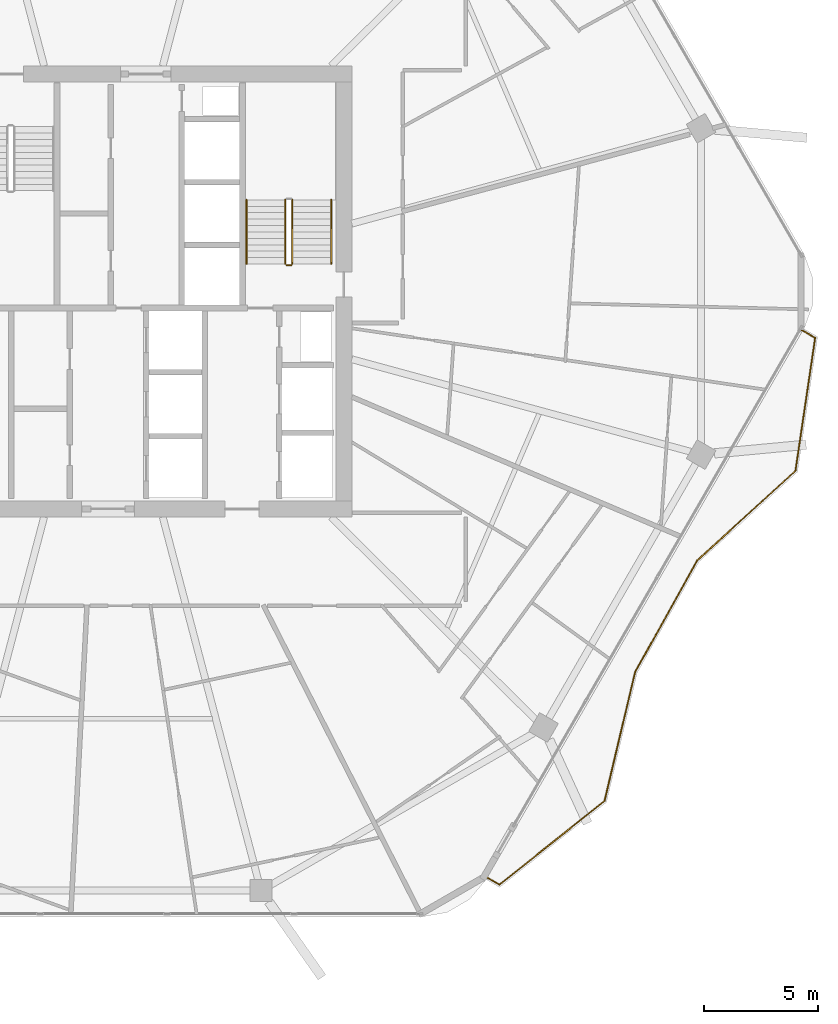
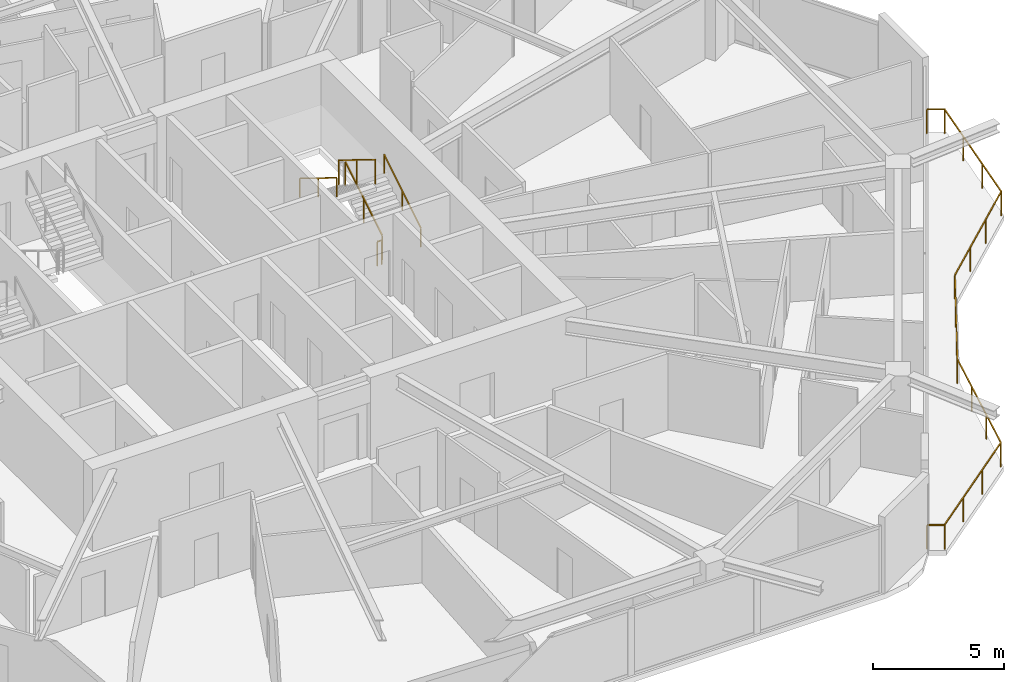
# One storey, part 25 of 27: 6 railings.
"""IFC4 building model written with IfcOpenShell, lengths in metres."""

from ifc_helpers import new_model, si_unit, direction, frame, origin, origin_2d, place, context, subcontext, project, spatial, rectangle, extrude, material, type_object, element, save


model = new_model("IFC4")

# Units and contexts
model_context = context("Model", 3, precision=1e-05, world=origin(), true_north=direction((0.0, 1.0)))
body_context = subcontext(model_context, "Body", "Model", "MODEL_VIEW")
ifc_project = project(units=[si_unit("LENGTHUNIT", "METRE"), si_unit("AREAUNIT", "SQUARE_METRE"), si_unit("VOLUMEUNIT", "CUBIC_METRE"), si_unit("PLANEANGLEUNIT", "RADIAN"), si_unit("MASSUNIT", "GRAM", prefix="KILO")], contexts=[model_context])

# Site, building, storey
site_placement = place(None, origin())
site = spatial("IfcSite", under=ifc_project, at=site_placement, CompositionType="ELEMENT")
building_placement = place(site_placement, origin())
building = spatial("IfcBuilding", under=site, at=building_placement, Name="Zuhravey Tower", CompositionType="ELEMENT")
storey_placement = place(building_placement, frame((0.0, 0.0, 188.39990234375)))
storey = spatial("IfcBuildingStorey", under=building, at=storey_placement, Name="L47", CompositionType="ELEMENT", Elevation=188.39990234375)

# Railings
ifc_material_1 = material(Name="Stainless steel 316 and laminated glass", Category="steel")
railing_type_1 = type_object("IfcRailingType", Name="Balcony & Terrace Guardrail 1150", PredefinedType="BALUSTRADE", material=ifc_material_1)
railing_1_placement = place(storey_placement, frame((66.510009765625, 30.308349609375, 0.0)))
element("IfcRailing", 1, at=railing_1_placement, inside=storey, type_object=railing_type_1, Name="L47 Face 6 Wave Balcony Guardrail GR1", PredefinedType="BALUSTRADE", context=body_context, shape_type="SweptSolid", body=[
    extrude(rectangle(XDim=0.048095703125, YDim=0.048095703125, at=origin_2d()), frame((0.001708984375, -0.0009765625, 1.1259765625), z_axis=(0.865997973348, -0.5000475079, 0.0), x_axis=(0.5000475079, 0.865997973348, 0.0)), (0.0, 0.0, 1.0), 0.667724609375),
    extrude(rectangle(XDim=0.048095703125, YDim=0.048095703125, at=origin_2d()), frame((0.58154296875, -0.337890625, 1.1259765625), z_axis=(-0.146764189716, -0.989171508191, 0.0), x_axis=(0.989171508191, -0.146764189716, 0.0)), (0.0, 0.0, 1.0), 5.866455078125),
    extrude(rectangle(XDim=0.048095703125, YDim=0.048095703125, at=origin_2d()), frame((-0.28125, -6.144287109375, 1.1259765625), z_axis=(-0.7387410654, -0.673989345829, 0.0), x_axis=(0.673989345829, -0.7387410654, 0.0)), (0.0, 0.0, 1.0), 5.80615234375),
    extrude(rectangle(XDim=0.048095703125, YDim=0.048095703125, at=origin_2d()), frame((-4.572998046875, -10.060546875, 1.1259765625), z_axis=(-0.48580246589, -0.874068626674, 0.0), x_axis=(0.874068626674, -0.48580246589, 0.0)), (0.0, 0.0, 1.0), 5.582763671875),
    extrude(rectangle(XDim=0.048095703125, YDim=0.048095703125, at=origin_2d()), frame((-7.28662109375, -14.944091796875, 1.1259765625), z_axis=(-0.230986440495, -0.972956969402, 0.0), x_axis=(0.972956969402, -0.230986440495, 0.0)), (0.0, 0.0, 1.0), 5.7744140625),
    extrude(rectangle(XDim=0.048095703125, YDim=0.048095703125, at=origin_2d()), frame((-8.622314453125, -20.5654296875, 1.1259765625), z_axis=(-0.781984116778, -0.623298356412, 0.0), x_axis=(0.623298356412, -0.781984116778, 0.0)), (0.0, 0.0, 1.0), 5.8623046875),
    extrude(rectangle(XDim=0.048095703125, YDim=0.048095703125, at=origin_2d()), frame((-13.2099609375, -24.2197265625, 1.1259765625), z_axis=(-0.865997973348, 0.5000475079, 0.0), x_axis=(-0.5000475079, -0.865997973348, 0.0)), (0.0, 0.0, 1.0), 0.667724609375),
    extrude(rectangle(XDim=0.0419921875, YDim=0.0419921875, at=origin_2d()), origin(), (0.0, 0.0, 1.0), 1.099853515625),
    extrude(rectangle(XDim=0.0419921875, YDim=0.0419921875, at=origin_2d()), frame((0.581787109375, -0.3359375, 0.0)), (0.0, 0.0, 1.0), 1.099853515625),
    extrude(rectangle(XDim=0.0419921875, YDim=0.0419921875, at=origin_2d()), frame((0.294677734375, -2.271484375, 0.0)), (0.0, 0.0, 1.0), 1.099853515625),
    extrude(rectangle(XDim=0.0419921875, YDim=0.0419921875, at=origin_2d()), frame((0.00732421875, -4.207275390625, 0.0)), (0.0, 0.0, 1.0), 1.099853515625),
    extrude(rectangle(XDim=0.0419921875, YDim=0.0419921875, at=origin_2d()), frame((-0.27978515625, -6.142822265625, 0.0)), (0.0, 0.0, 1.0), 1.099853515625),
    extrude(rectangle(XDim=0.0419921875, YDim=0.0419921875, at=origin_2d()), frame((-1.71044921875, -7.4482421875, 0.0)), (0.0, 0.0, 1.0), 1.099853515625),
    extrude(rectangle(XDim=0.0419921875, YDim=0.0419921875, at=origin_2d()), frame((-3.141357421875, -8.75341796875, 0.0)), (0.0, 0.0, 1.0), 1.099853515625),
    extrude(rectangle(XDim=0.0419921875, YDim=0.0419921875, at=origin_2d()), frame((-4.572021484375, -10.058837890625, 0.0)), (0.0, 0.0, 1.0), 1.099853515625),
    extrude(rectangle(XDim=0.0419921875, YDim=0.0419921875, at=origin_2d()), frame((-5.476806640625, -11.6865234375, 0.0)), (0.0, 0.0, 1.0), 1.099853515625),
    extrude(rectangle(XDim=0.0419921875, YDim=0.0419921875, at=origin_2d()), frame((-6.38134765625, -13.314453125, 0.0)), (0.0, 0.0, 1.0), 1.099853515625),
    extrude(rectangle(XDim=0.0419921875, YDim=0.0419921875, at=origin_2d()), frame((-7.2861328125, -14.942138671875, 0.0)), (0.0, 0.0, 1.0), 1.099853515625),
    extrude(rectangle(XDim=0.0419921875, YDim=0.0419921875, at=origin_2d()), frame((-7.73095703125, -16.816162109375, 0.0)), (0.0, 0.0, 1.0), 1.099853515625),
    extrude(rectangle(XDim=0.0419921875, YDim=0.0419921875, at=origin_2d()), frame((-8.176025390625, -18.690185546875, 0.0)), (0.0, 0.0, 1.0), 1.099853515625),
    extrude(rectangle(XDim=0.0419921875, YDim=0.0419921875, at=origin_2d()), frame((-8.620849609375, -20.564208984375, 0.0)), (0.0, 0.0, 1.0), 1.099853515625),
    extrude(rectangle(XDim=0.0419921875, YDim=0.0419921875, at=origin_2d()), frame((-10.14990234375, -21.782958984375, 0.0)), (0.0, 0.0, 1.0), 1.099853515625),
    extrude(rectangle(XDim=0.0419921875, YDim=0.0419921875, at=origin_2d()), frame((-11.67919921875, -23.001953125, 0.0)), (0.0, 0.0, 1.0), 1.099853515625),
    extrude(rectangle(XDim=0.0419921875, YDim=0.0419921875, at=origin_2d()), frame((-13.208251953125, -24.220703125, 0.0)), (0.0, 0.0, 1.0), 1.099853515625),
    extrude(rectangle(XDim=0.0419921875, YDim=0.0419921875, at=origin_2d()), frame((-13.7900390625, -23.884765625, 0.0)), (0.0, 0.0, 1.0), 1.099853515625),
])
ifc_material_2 = material(Name="Brushed stainless steel", Category="steel")
railing_type_2 = type_object("IfcRailingType", Name="Stair Wall Handrail 900", PredefinedType="HANDRAIL", material=ifc_material_2)
railing_2_placement = place(storey_placement, frame((45.949951171875, 33.199951171875, 0.1728515625)))
element("IfcRailing", 2, at=railing_2_placement, inside=storey, type_object=railing_type_2, Name="L47 ST2 stair handrail 1", PredefinedType="HANDRAIL", context=body_context, shape_type="SweptSolid", body=[
    extrude(rectangle(XDim=0.048095703125, YDim=0.048095703125, at=origin_2d()), frame((0.0, 0.001708984375, 0.876953125), z_axis=(0.0, 0.851089632645, 0.525020415988), x_axis=(-1.0, 0.0, 0.0)), (0.0, 0.0, 1.0), 3.285888671875),
    extrude(rectangle(XDim=0.0419921875, YDim=0.0419921875, at=origin_2d()), origin(), (0.0, 0.0, 1.0), 0.849853515625),
    extrude(rectangle(XDim=0.0419921875, YDim=0.0419921875, at=origin_2d()), frame((0.0, 1.39990234375, 0.86376953125)), (0.0, 0.0, 1.0), 0.849853515625),
    extrude(rectangle(XDim=0.0419921875, YDim=0.0419921875, at=origin_2d()), frame((0.0, 2.800048828125, 1.727294921875)), (0.0, 0.0, 1.0), 0.849853515625),
])
railing_3_placement = place(storey_placement, frame((42.25, 36.0, 2.07275390625)))
element("IfcRailing", 3, at=railing_3_placement, inside=storey, type_object=railing_type_2, Name="L47 ST2 stair handrail 2", PredefinedType="HANDRAIL", context=body_context, shape_type="SweptSolid", body=[
    extrude(rectangle(XDim=0.048095703125, YDim=0.048095703125, at=origin_2d()), frame((0.0, -0.001708984375, 0.876953125), z_axis=(0.0, -0.851089632645, 0.525020415988), x_axis=(1.0, 0.0, 0.0)), (0.0, 0.0, 1.0), 3.285888671875),
    extrude(rectangle(XDim=0.0419921875, YDim=0.0419921875, at=origin_2d()), origin(), (0.0, 0.0, 1.0), 0.849853515625),
    extrude(rectangle(XDim=0.0419921875, YDim=0.0419921875, at=origin_2d()), frame((0.0, -1.39990234375, 0.86376953125)), (0.0, 0.0, 1.0), 0.849853515625),
    extrude(rectangle(XDim=0.0419921875, YDim=0.0419921875, at=origin_2d()), frame((0.0, -2.800048828125, 1.727294921875)), (0.0, 0.0, 1.0), 0.849853515625),
])
ifc_material_3 = material(Name="Painted tubular steel", Category="steel")
railing_type_3 = type_object("IfcRailingType", Name="Stair Well Guardrail 1150", PredefinedType="GUARDRAIL", material=ifc_material_3)
railing_4_placement = place(storey_placement, frame((44.25, 33.199951171875, 0.1728515625)))
element("IfcRailing", 4, at=railing_4_placement, inside=storey, type_object=railing_type_3, Name="L47 ST2 stair guard 1", PredefinedType="GUARDRAIL", context=body_context, shape_type="SweptSolid", body=[
    extrude(rectangle(XDim=0.048095703125, YDim=0.048095703125, at=origin_2d()), frame((0.0, 0.001708984375, 1.126953125), z_axis=(0.0, 0.851089632645, 0.525020415988), x_axis=(-1.0, 0.0, 0.0)), (0.0, 0.0, 1.0), 3.285888671875),
    extrude(rectangle(XDim=0.0419921875, YDim=0.0419921875, at=origin_2d()), origin(), (0.0, 0.0, 1.0), 1.099853515625),
    extrude(rectangle(XDim=0.0419921875, YDim=0.0419921875, at=origin_2d()), frame((0.0, 1.39990234375, 0.86376953125)), (0.0, 0.0, 1.0), 1.099853515625),
    extrude(rectangle(XDim=0.0419921875, YDim=0.0419921875, at=origin_2d()), frame((0.0, 2.800048828125, 1.727294921875)), (0.0, 0.0, 1.0), 1.099853515625),
])
railing_5_placement = place(storey_placement, frame((43.949951171875, 36.0, 2.07275390625)))
element("IfcRailing", 5, at=railing_5_placement, inside=storey, type_object=railing_type_3, Name="L47 ST2 stair guard 3", PredefinedType="GUARDRAIL", context=body_context, shape_type="SweptSolid", body=[
    extrude(rectangle(XDim=0.048095703125, YDim=0.048095703125, at=origin_2d()), frame((0.0, -0.001708984375, 1.126953125), z_axis=(0.0, -0.851089632645, 0.525020415988), x_axis=(1.0, 0.0, 0.0)), (0.0, 0.0, 1.0), 3.285888671875),
    extrude(rectangle(XDim=0.0419921875, YDim=0.0419921875, at=origin_2d()), origin(), (0.0, 0.0, 1.0), 1.099853515625),
    extrude(rectangle(XDim=0.0419921875, YDim=0.0419921875, at=origin_2d()), frame((0.0, -1.39990234375, 0.86376953125)), (0.0, 0.0, 1.0), 1.099853515625),
    extrude(rectangle(XDim=0.0419921875, YDim=0.0419921875, at=origin_2d()), frame((0.0, -2.800048828125, 1.727294921875)), (0.0, 0.0, 1.0), 1.099853515625),
])
railing_6_placement = place(storey_placement, frame((44.199951171875, 33.14990234375, 0.0)))
element("IfcRailing", 6, at=railing_6_placement, inside=storey, type_object=railing_type_3, Name="L47 ST2 stair guard 4", PredefinedType="GUARDRAIL", context=body_context, shape_type="SweptSolid", body=[
    extrude(rectangle(XDim=0.048095703125, YDim=0.048095703125, at=origin_2d()), frame((-0.001953125, 0.0, 1.1259765625), z_axis=(-1.0, 0.0, 0.0), x_axis=(0.0, -1.0, 0.0)), (0.0, 0.0, 1.0), 0.196044921875),
    extrude(rectangle(XDim=0.0419921875, YDim=0.0419921875, at=origin_2d()), origin(), (0.0, 0.0, 1.0), 1.099853515625),
    extrude(rectangle(XDim=0.0419921875, YDim=0.0419921875, at=origin_2d()), frame((-0.199951171875, 0.0, 0.0)), (0.0, 0.0, 1.0), 1.099853515625),
])

save(model, "model.ifc")
